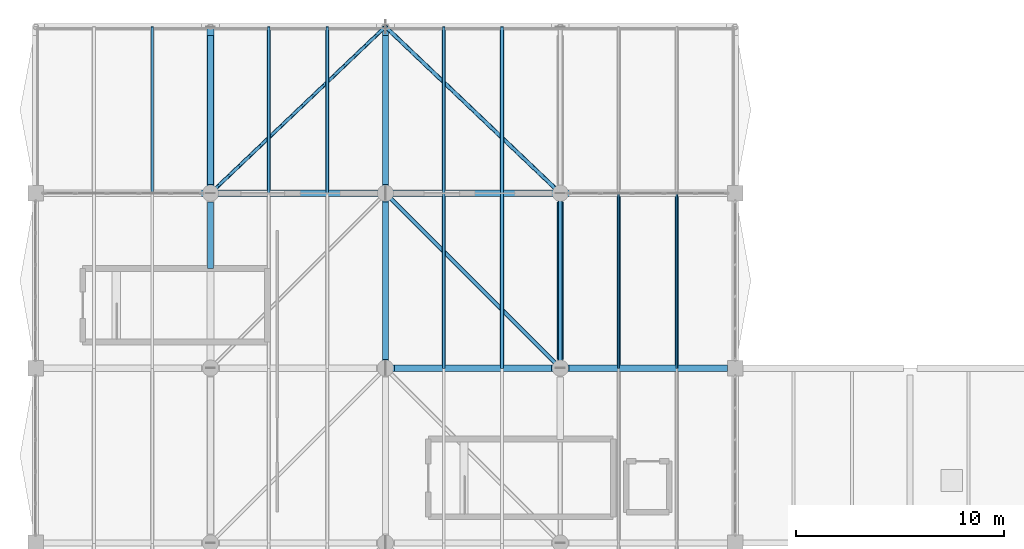
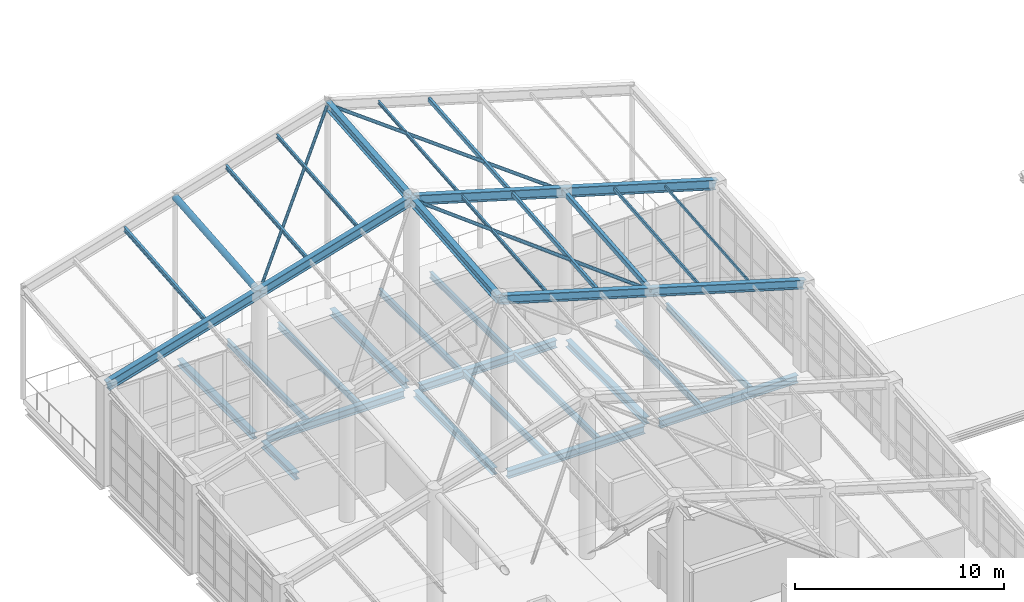
# One storey, part 46 of 95: 19 members, 17 beams.
"""IFC4 building model written with IfcOpenShell, lengths in metres."""

import ifcopenshell
import ifcopenshell.guid

model = None  # the IFC model being written
_history = None  # IfcOwnerHistory: only IFC2X3 demands one
_inside = {}  # id of a spatial element -> (the spatial element, [elements in it])
_under = {}  # id of a project, library or spatial element -> (it, [spatial elements below it])
_declared = {}  # id of a project -> (the project, [libraries it declares])
_typed = {}  # id of a type object -> (the type object, [elements of that type])
_made_of = {}  # id of a material, layer set ... -> (it, [elements and type objects made of it])


def new_model(schema):
    """Start an empty IFC model of exactly this schema.

    Asked for "IFC4X3", IfcOpenShell would pick the latest addendum, in which some entities
    have other attributes; the version numbers below select the first issue.
    IFC2X3 requires an IfcOwnerHistory on every rooted entity: one is made here for all.
    """
    global model, _history
    if schema == "IFC4X3":
        model = ifcopenshell.file(schema_version=(4, 3, 0, 0))
    else:
        model = ifcopenshell.file(schema=schema)
    _inside.clear()
    _under.clear()
    _declared.clear()
    _typed.clear()
    _made_of.clear()
    _history = None
    if model.schema == "IFC2X3":
        org = make("IfcOrganization", Name="unknown")
        user = make(
            "IfcPersonAndOrganization",
            ThePerson=make("IfcPerson", FamilyName="unknown"),
            TheOrganization=org,
        )
        app = make(
            "IfcApplication",
            ApplicationDeveloper=org,
            Version="unknown",
            ApplicationFullName="unknown",
            ApplicationIdentifier="unknown",
        )
        _history = make(
            "IfcOwnerHistory",
            OwningUser=user,
            OwningApplication=app,
            ChangeAction="ADDED",
            CreationDate=0,
        )
    return model


def make(cls, **values):
    """One entity of the class cls with the attributes given. An attribute that is None is left unset."""
    return model.create_entity(
        cls, **{name: value for name, value in values.items() if value is not None}
    )


def rooted(cls, **values):
    """An entity with a GlobalId (a new one), such as an element, a storey or a relation."""
    return make(cls, GlobalId=ifcopenshell.guid.new(), OwnerHistory=_history, **values)


def si_unit(unit_type, name, prefix=None):
    """IfcSIUnit, for example si_unit("LENGTHUNIT", "METRE", prefix="MILLI")."""
    return make("IfcSIUnit", UnitType=unit_type, Prefix=prefix, Name=name)


def assignment(units):
    """IfcUnitAssignment: the units of a project."""
    return None if units is None else make("IfcUnitAssignment", Units=units)


def point(xyz):
    """IfcCartesianPoint."""
    return None if xyz is None else make("IfcCartesianPoint", Coordinates=xyz)


def direction(xyz):
    """IfcDirection."""
    return None if xyz is None else make("IfcDirection", DirectionRatios=xyz)


def frame(location, z_axis=None, x_axis=None):
    """IfcAxis2Placement3D, a coordinate frame: its origin and axes. An axis left out is left unset."""
    return make(
        "IfcAxis2Placement3D",
        Location=point(location),
        Axis=direction(z_axis),
        RefDirection=direction(x_axis),
    )


def frame_2d(location, x_axis=None):
    """IfcAxis2Placement2D, a coordinate frame in the plane: its origin and x axis."""
    return make(
        "IfcAxis2Placement2D", Location=point(location), RefDirection=direction(x_axis)
    )


def origin():
    """The frame at (0, 0, 0) with its axes left unset."""
    return frame((0.0, 0.0, 0.0))


def origin_2d():
    """The frame at (0, 0) in the plane with its x axis left unset."""
    return frame_2d((0.0, 0.0))


def place(relative_to, where):
    """IfcLocalPlacement: puts the frame where relative to a parent placement (None: the world)."""
    return make(
        "IfcLocalPlacement", PlacementRelTo=relative_to, RelativePlacement=where
    )


def context(
    kind, dimensions, precision=None, world=None, true_north=None, identifier=None
):
    """IfcGeometricRepresentationContext, for example the 3D "Model" context."""
    return make(
        "IfcGeometricRepresentationContext",
        ContextIdentifier=identifier,
        ContextType=kind,
        CoordinateSpaceDimension=dimensions,
        Precision=precision,
        WorldCoordinateSystem=world,
        TrueNorth=true_north,
    )


def subcontext(parent, identifier, kind, view, scale=None):
    """IfcGeometricRepresentationSubContext, for example "Body" below "Model"."""
    return make(
        "IfcGeometricRepresentationSubContext",
        ContextIdentifier=identifier,
        ContextType=kind,
        ParentContext=parent,
        TargetScale=scale,
        TargetView=view,
    )


def project(units=None, contexts=None):
    """IfcProject with its units and contexts."""
    return rooted(
        "IfcProject",
        Name="project",
        RepresentationContexts=contexts,
        UnitsInContext=assignment(units),
    )


def spatial(cls, under=None, at=None, **own):
    """A site, building, storey or space (cls), placed at a placement, below another one or the project."""
    s = rooted(cls, ObjectPlacement=at, **own)
    if under is not None:
        _under.setdefault(under.id(), (under, []))[1].append(s)
    return s


def profile(cls, at=None, kind="AREA", **sizes):
    """A parametric profile (cls). Its sizes go by their IFC names, for example OverallWidth=200.0."""
    return make(cls, ProfileType=kind, Position=at, **sizes)


def hollow_rectangle(**sizes):
    """IfcRectangleHollowProfileDef."""
    return profile("IfcRectangleHollowProfileDef", **sizes)


def hollow_circle(**sizes):
    """IfcCircleHollowProfileDef."""
    return profile("IfcCircleHollowProfileDef", **sizes)


def i_section(**sizes):
    """IfcIShapeProfileDef."""
    return profile("IfcIShapeProfileDef", **sizes)


def extrude(swept, where, along, depth):
    """IfcExtrudedAreaSolid: the profile swept, set in the frame where, extruded along a direction by depth."""
    return make(
        "IfcExtrudedAreaSolid",
        SweptArea=swept,
        Position=where,
        ExtrudedDirection=direction(along),
        Depth=depth,
    )


def shape(context_of_items, identifier, shape_type, items):
    """IfcShapeRepresentation: the items that make up one representation, for example the "Body"."""
    return make(
        "IfcShapeRepresentation",
        ContextOfItems=context_of_items,
        RepresentationIdentifier=identifier,
        RepresentationType=shape_type,
        Items=items,
    )


def material(Name=None, Category=None):
    """IfcMaterial."""
    return make("IfcMaterial", Name=Name, Category=Category)


def material_profile(
    of_material, cross_section, Name=None, Category=None, Priority=None
):
    """IfcMaterialProfile: a cross section and its material."""
    return make(
        "IfcMaterialProfile",
        Name=Name,
        Material=of_material,
        Profile=cross_section,
        Priority=Priority,
        Category=Category,
    )


def profile_set(profiles, Name=None, composite=None):
    """IfcMaterialProfileSet."""
    return make(
        "IfcMaterialProfileSet",
        Name=Name,
        MaterialProfiles=profiles,
        CompositeProfile=composite,
    )


def made_of(thing, what):
    """Note that an element or type object is made of a material, layer set ...; save() writes the relation."""
    if what is not None:
        _made_of.setdefault(what.id(), (what, []))[1].append(thing)
    return thing


def type_object(cls, material=None, **own):
    """A type object (cls), such as IfcWallType, which elements share."""
    return made_of(rooted(cls, **own), material)


def element(
    cls,
    number,
    at=None,
    inside=None,
    cuts=None,
    type_object=None,
    material=None,
    context=None,
    identifier="Body",
    shape_type=None,
    held_by="IfcProductDefinitionShape",
    body=None,
    shapes=None,
    **own,
):
    """One element of the class cls, such as IfcWall. Its Tag is "e" and its number.

    at: its placement. inside: the storey or other place that contains it. cuts: it is an
    opening in that element (IfcRelVoidsElement). A single representation is given by context,
    identifier, shape_type and body (its items); several are given by shapes. held_by: the class
    of the entity that holds the representations. save() writes the other relations.
    """
    e = rooted(cls, Tag="e%d" % number, ObjectPlacement=at, **own)
    if body is not None:
        shapes = [shape(context, identifier, shape_type, body)]
    if shapes is not None:
        e.Representation = make(held_by, Representations=shapes)
    if inside is not None:
        _inside.setdefault(inside.id(), (inside, []))[1].append(e)
    if cuts is not None:
        rooted(
            "IfcRelVoidsElement", RelatingBuildingElement=cuts, RelatedOpeningElement=e
        )
    if type_object is not None:
        _typed.setdefault(type_object.id(), (type_object, []))[1].append(e)
    return made_of(e, material)


def aggregate(whole, parts):
    """IfcRelAggregates: a whole, such as a stair, and the parts it consists of."""
    return rooted("IfcRelAggregates", RelatingObject=whole, RelatedObjects=parts)


def save(model, path):
    """Write the relations noted so far, then the file.

    IfcRelAggregates (storeys below a building ...), IfcRelContainedInSpatialStructure (elements
    in a storey), IfcRelDefinesByType, IfcRelAssociatesMaterial and IfcRelDeclares: one each for
    every whole, place, type object, material and project.
    """
    for whole, parts in _under.values():
        aggregate(whole, parts)
    for where, things in _inside.values():
        rooted(
            "IfcRelContainedInSpatialStructure",
            RelatedElements=things,
            RelatingStructure=where,
        )
    for kind, things in _typed.values():
        rooted("IfcRelDefinesByType", RelatedObjects=things, RelatingType=kind)
    for what, things in _made_of.values():
        rooted("IfcRelAssociatesMaterial", RelatedObjects=things, RelatingMaterial=what)
    for by, libraries in _declared.values():
        rooted("IfcRelDeclares", RelatingContext=by, RelatedDefinitions=libraries)
    model.write(path)


model = new_model("IFC4")

# Units and contexts
model_context = context("Model", 3, precision=1e-05, world=origin(), true_north=direction((0.0, 1.0)))
body_context = subcontext(model_context, "Body", "Model", "MODEL_VIEW")
ifc_project = project(units=[si_unit("LENGTHUNIT", "METRE"), si_unit("AREAUNIT", "SQUARE_METRE"), si_unit("VOLUMEUNIT", "CUBIC_METRE"), si_unit("PLANEANGLEUNIT", "RADIAN"), si_unit("MASSUNIT", "GRAM", prefix="KILO"), si_unit("THERMODYNAMICTEMPERATUREUNIT", "KELVIN"), si_unit("POWERUNIT", "WATT")], contexts=[model_context])

# Site, building, storey
site_placement = place(None, origin())
site = spatial("IfcSite", under=ifc_project, at=site_placement, CompositionType="ELEMENT")
building_placement = place(site_placement, origin())
building = spatial("IfcBuilding", under=site, at=building_placement, Name="Mavoryth Pier Ferry Terminal", CompositionType="ELEMENT")
storey_placement = place(building_placement, frame((0.0, 0.0, 9.60009765625)))
storey = spatial("IfcBuildingStorey", under=building, at=storey_placement, Name="L02", CompositionType="ELEMENT", Elevation=9.60009765625)

# Beams
ifc_material = material(Name="Steel S355J2", Category="steel")
ifc_material_profile_1 = material_profile(ifc_material, i_section(OverallWidth=0.300048828125, OverallDepth=0.389892578125, WebThickness=0.010986328125, FlangeThickness=0.01904296875, FilletRadius=0.027099609375, at=origin_2d()), Name="HEA 400", Category="steel")
ifc_profile_set_1 = profile_set([ifc_material_profile_1], Name="Steel S355J2 - HEA 400")
beam_type_1 = type_object("IfcBeamType", Name="Beam-Steel-HEA400", PredefinedType="BEAM", material=ifc_profile_set_1)
beam_1_placement = place(storey_placement, frame((8.39990234375, 102.3798828125, -0.47509765625), z_axis=(0.0, 1.0, 0.0), x_axis=(-1.0, 0.0, 0.0)))
element("IfcBeam", 1, at=beam_1_placement, inside=storey, type_object=beam_type_1, Name="Beam B02-SB04-0636", PredefinedType="BEAM", context=body_context, shape_type="SweptSolid", body=[
    extrude(i_section(OverallWidth=0.300048828125, OverallDepth=0.389892578125, WebThickness=0.010986328125, FlangeThickness=0.01904296875, FilletRadius=0.027099609375, at=origin_2d()), origin(), (0.0, 0.0, 1.0), 3.195068359375),
])
beam_2_placement = place(storey_placement, frame((8.39990234375, 106.425048828125, -0.55517578125), z_axis=(0.0, 1.0, 0.0), x_axis=(-1.0, 0.0, 0.0)))
element("IfcBeam", 2, at=beam_2_placement, inside=storey, type_object=beam_type_1, Name="Beam B02-SB04-0637", PredefinedType="BEAM", context=body_context, shape_type="SweptSolid", body=[
    extrude(i_section(OverallWidth=0.300048828125, OverallDepth=0.389892578125, WebThickness=0.010986328125, FlangeThickness=0.01904296875, FilletRadius=0.027099609375, at=origin_2d()), origin(), (0.0, 0.0, 1.0), 7.14990234375),
])
beam_3_placement = place(storey_placement, frame((16.800048828125, 98.02490234375, -0.47509765625), z_axis=(0.0, 1.0, 0.0), x_axis=(-1.0, 0.0, 0.0)))
element("IfcBeam", 3, at=beam_3_placement, inside=storey, type_object=beam_type_1, Name="Beam B02-SB04-0641", PredefinedType="BEAM", context=body_context, shape_type="SweptSolid", body=[
    extrude(i_section(OverallWidth=0.300048828125, OverallDepth=0.389892578125, WebThickness=0.010986328125, FlangeThickness=0.01904296875, FilletRadius=0.027099609375, at=origin_2d()), origin(), (0.0, 0.0, 1.0), 7.550048828125),
])
beam_4_placement = place(storey_placement, frame((16.800048828125, 106.425048828125, -0.55517578125), z_axis=(0.0, 1.0, 0.0), x_axis=(-1.0, 0.0, 0.0)))
element("IfcBeam", 4, at=beam_4_placement, inside=storey, type_object=beam_type_1, Name="Beam B02-SB04-0642", PredefinedType="BEAM", context=body_context, shape_type="SweptSolid", body=[
    extrude(i_section(OverallWidth=0.300048828125, OverallDepth=0.389892578125, WebThickness=0.010986328125, FlangeThickness=0.01904296875, FilletRadius=0.027099609375, at=origin_2d()), origin(), (0.0, 0.0, 1.0), 7.14990234375),
])
beam_5_placement = place(storey_placement, frame((25.199951171875, 98.02490234375, -0.47509765625), z_axis=(0.0, 1.0, 0.0), x_axis=(-1.0, 0.0, 0.0)))
element("IfcBeam", 5, at=beam_5_placement, inside=storey, type_object=beam_type_1, Name="Beam B02-SB04-0646", PredefinedType="BEAM", context=body_context, shape_type="SweptSolid", body=[
    extrude(i_section(OverallWidth=0.300048828125, OverallDepth=0.389892578125, WebThickness=0.010986328125, FlangeThickness=0.01904296875, FilletRadius=0.027099609375, at=origin_2d()), origin(), (0.0, 0.0, 1.0), 7.550048828125),
])
ifc_material_profile_2 = material_profile(ifc_material, i_section(OverallWidth=0.300048828125, OverallDepth=0.449951171875, WebThickness=0.013916015625, FlangeThickness=0.02587890625, FilletRadius=0.027099609375, at=origin_2d()), Name="HEB 450", Category="steel")
ifc_profile_set_2 = profile_set([ifc_material_profile_2], Name="Steel S355J2 - HEB 450")
beam_type_2 = type_object("IfcBeamType", Name="Beam-Steel-HEB450", PredefinedType="BEAM", material=ifc_profile_set_2)
beam_6_placement = place(storey_placement, frame((17.22509765625, 97.60009765625, -0.505126953125), z_axis=(1.0, 0.0, 0.0), x_axis=(0.0, 1.0, 0.0)))
element("IfcBeam", 6, at=beam_6_placement, inside=storey, type_object=beam_type_2, Name="Beam B02-SB02-0618", PredefinedType="BEAM", context=body_context, shape_type="SweptSolid", body=[
    extrude(i_section(OverallWidth=0.300048828125, OverallDepth=0.449951171875, WebThickness=0.013916015625, FlangeThickness=0.02587890625, FilletRadius=0.027099609375, at=origin_2d()), origin(), (0.0, 0.0, 1.0), 7.5498046875),
])
beam_7_placement = place(storey_placement, frame((25.625, 97.60009765625, -0.505126953125), z_axis=(1.0, 0.0, 0.0), x_axis=(0.0, 1.0, 0.0)))
element("IfcBeam", 7, at=beam_7_placement, inside=storey, type_object=beam_type_2, Name="Beam B02-SB02-0619", PredefinedType="BEAM", context=body_context, shape_type="SweptSolid", body=[
    extrude(i_section(OverallWidth=0.300048828125, OverallDepth=0.449951171875, WebThickness=0.013916015625, FlangeThickness=0.02587890625, FilletRadius=0.027099609375, at=origin_2d()), origin(), (0.0, 0.0, 1.0), 7.60009765625),
])
beam_8_placement = place(storey_placement, frame((8.824951171875, 106.0, -0.585205078125), z_axis=(1.0, 0.0, 0.0), x_axis=(0.0, 1.0, 0.0)))
element("IfcBeam", 8, at=beam_8_placement, inside=storey, type_object=beam_type_2, Name="Beam B02-SB02-0621", PredefinedType="BEAM", context=body_context, shape_type="SweptSolid", body=[
    extrude(i_section(OverallWidth=0.300048828125, OverallDepth=0.449951171875, WebThickness=0.013916015625, FlangeThickness=0.02587890625, FilletRadius=0.027099609375, at=origin_2d()), origin(), (0.0, 0.0, 1.0), 7.550048828125),
])
beam_9_placement = place(storey_placement, frame((17.22509765625, 106.0, -0.585205078125), z_axis=(1.0, 0.0, 0.0), x_axis=(0.0, 1.0, 0.0)))
element("IfcBeam", 9, at=beam_9_placement, inside=storey, type_object=beam_type_2, Name="Beam B02-SB02-0622", PredefinedType="BEAM", context=body_context, shape_type="SweptSolid", body=[
    extrude(i_section(OverallWidth=0.300048828125, OverallDepth=0.449951171875, WebThickness=0.013916015625, FlangeThickness=0.02587890625, FilletRadius=0.027099609375, at=origin_2d()), origin(), (0.0, 0.0, 1.0), 7.5498046875),
])

# Members
ifc_material_profile_3 = material_profile(ifc_material, hollow_circle(Radius=0.096923828125, WallThickness=0.010009765625, at=origin_2d()), Name="CHS 193.7x10.0", Category="steel")
ifc_profile_set_3 = profile_set([ifc_material_profile_3], Name="Steel S355J2 - CHS 193.7x10.0")
member_type_1 = type_object("IfcMemberType", Name="Brace-Plan-CHS194", PredefinedType="BRACE", material=ifc_profile_set_3)
member_1_placement = place(storey_placement, frame((25.199951171875, 97.60009765625, 7.37060546875), z_axis=(-0.682878207153, 0.682878207153, 0.259527856674), x_axis=(-0.707106781187, -0.707106781187, 0.0)))
element("IfcMember", 10, at=member_1_placement, inside=storey, type_object=member_type_1, Name="Steel Member MB-L02-0174", PredefinedType="BRACE", context=body_context, shape_type="SweptSolid", body=[
    extrude(hollow_circle(Radius=0.096923828125, WallThickness=0.010009765625, at=origin_2d()), origin(), (0.0, 0.0, 1.0), 12.30078125),
])
member_2_placement = place(storey_placement, frame((25.199951171875, 106.0, 8.084716796875), z_axis=(-0.698697200102, 0.66543364102, 0.262717132992), x_axis=(-0.689659376744, -0.724133926887, 0.0)))
element("IfcMember", 11, at=member_2_placement, inside=storey, type_object=member_type_1, Name="Steel Member MB-L02-0189", PredefinedType="BRACE", context=body_context, shape_type="SweptSolid", body=[
    extrude(hollow_circle(Radius=0.096923828125, WallThickness=0.010009765625, at=origin_2d()), origin(), (0.0, 0.0, 1.0), 12.022216796875),
])
ifc_material_profile_4 = material_profile(ifc_material, hollow_circle(Radius=0.084228515625, WallThickness=0.008056640625, at=origin_2d()), Name="CHS 168.3x8.0", Category="steel")
ifc_profile_set_4 = profile_set([ifc_material_profile_4], Name="Steel S355J2 - CHS 168.3x8.0")
member_type_2 = type_object("IfcMemberType", Name="Brace-Roof-CHS168", PredefinedType="BRACE", material=ifc_profile_set_4)
member_3_placement = place(storey_placement, frame((8.39990234375, 106.0, 8.084716796875), z_axis=(0.698707593671, 0.665424199419, 0.262713405392), x_axis=(-0.689648865971, 0.724143937118, 0.0)))
element("IfcMember", 12, at=member_3_placement, inside=storey, type_object=member_type_2, Name="Steel Member MB-L02-0188", PredefinedType="BRACE", context=body_context, shape_type="SweptSolid", body=[
    extrude(hollow_circle(Radius=0.084228515625, WallThickness=0.008056640625, at=origin_2d()), origin(), (0.0, 0.0, 1.0), 12.0224609375),
])
ifc_material_profile_5 = material_profile(ifc_material, hollow_rectangle(XDim=0.199951171875, YDim=0.300048828125, WallThickness=0.012451171875, InnerFilletRadius=0.012451171875, OuterFilletRadius=0.02490234375, at=origin_2d()), Name="RHS 300x200x12.5", Category="steel")
ifc_profile_set_5 = profile_set([ifc_material_profile_5], Name="Steel S355J2 - RHS 300x200x12.5")
member_type_3 = type_object("IfcMemberType", Name="Chord-Edge-RHS300", PredefinedType="CHORD", material=ifc_profile_set_5)
member_4_placement = place(storey_placement, frame((25.199951171875, 97.60009765625, 7.37060546875), z_axis=(0.0, 0.996405760474, 0.084708680154), x_axis=(-1.0, 0.0, 0.0)))
element("IfcMember", 13, at=member_4_placement, inside=storey, type_object=member_type_3, Name="Steel Member MB-L02-0164", PredefinedType="CHORD", context=body_context, shape_type="SweptSolid", body=[
    extrude(hollow_rectangle(XDim=0.199951171875, YDim=0.300048828125, WallThickness=0.012451171875, InnerFilletRadius=0.012451171875, OuterFilletRadius=0.02490234375, at=origin_2d()), origin(), (0.0, 0.0, 1.0), 8.43017578125),
])
ifc_material_profile_6 = material_profile(ifc_material, i_section(OverallWidth=0.300048828125, OverallDepth=0.489990234375, WebThickness=0.011962890625, FlangeThickness=0.02294921875, FilletRadius=0.027099609375, at=origin_2d()), Name="HEA 500", Category="steel")
ifc_profile_set_6 = profile_set([ifc_material_profile_6], Name="Steel S355J2 - HEA 500")
member_type_4 = type_object("IfcMemberType", Name="Chord-Ridge-HEA500", PredefinedType="CHORD", material=ifc_profile_set_6)
member_5_placement = place(storey_placement, frame((16.800048828125, 97.60009765625, 9.8486328125), z_axis=(0.0, 0.9964033157, 0.084737432475), x_axis=(-1.0, 0.0, 0.0)))
element("IfcMember", 14, at=member_5_placement, inside=storey, type_object=member_type_4, Name="Steel Member MB-L02-0161", PredefinedType="CHORD", context=body_context, shape_type="SweptSolid", body=[
    extrude(i_section(OverallWidth=0.300048828125, OverallDepth=0.489990234375, WebThickness=0.011962890625, FlangeThickness=0.02294921875, FilletRadius=0.027099609375, at=origin_2d()), origin(), (0.0, 0.0, 1.0), 8.43017578125),
])
member_6_placement = place(storey_placement, frame((16.800048828125, 106.0, 10.56298828125), z_axis=(0.0, 0.996405110266, 0.08471632804), x_axis=(-1.0, 0.0, 0.0)))
element("IfcMember", 15, at=member_6_placement, inside=storey, type_object=member_type_4, Name="Steel Member MB-L02-0176", PredefinedType="CHORD", context=body_context, shape_type="SweptSolid", body=[
    extrude(i_section(OverallWidth=0.300048828125, OverallDepth=0.489990234375, WebThickness=0.011962890625, FlangeThickness=0.02294921875, FilletRadius=0.027099609375, at=origin_2d()), origin(), (0.0, 0.0, 1.0), 8.02880859375),
])
ifc_material_profile_7 = material_profile(ifc_material, hollow_circle(Radius=0.177734375, WallThickness=0.01611328125, at=origin_2d()), Name="CHS 355.6x16.0", Category="steel")
ifc_profile_set_7 = profile_set([ifc_material_profile_7], Name="Steel S355J2 - CHS 355.6x16.0")
member_type_5 = type_object("IfcMemberType", Name="Chord-Valley-CHS356", PredefinedType="CHORD", material=ifc_profile_set_7)
member_7_placement = place(storey_placement, frame((8.39990234375, 106.0, 8.084716796875), z_axis=(0.0, 0.996402543032, 0.084746517561), x_axis=(-1.0, 0.0, 0.0)))
element("IfcMember", 16, at=member_7_placement, inside=storey, type_object=member_type_5, Name="Steel Member MB-L02-0178", PredefinedType="CHORD", context=body_context, shape_type="SweptSolid", body=[
    extrude(hollow_circle(Radius=0.177734375, WallThickness=0.01611328125, at=origin_2d()), origin(), (0.0, 0.0, 1.0), 8.02880859375),
])

# Beams
ifc_material_profile_8 = material_profile(ifc_material, i_section(OverallWidth=0.169921875, OverallDepth=0.360107421875, WebThickness=0.008056640625, FlangeThickness=0.0126953125, FilletRadius=0.01806640625, at=origin_2d()), Name="IPE 360", Category="steel")
ifc_profile_set_8 = profile_set([ifc_material_profile_8], Name="Steel S355J2 - IPE 360")
beam_type_3 = type_object("IfcBeamType", Name="Joist-Steel-IPE360", PredefinedType="JOIST", material=ifc_profile_set_8)
for number, where, z_axis, x_axis, name in (
    (17, (11.199951171875, 106.14990234375, -0.5400390625), (0.0, 1.0, 0.0), (-1.0, 0.0, 0.0), "Beam B02-SJ02-0669"),
    (18, (14.0, 106.14990234375, -0.5400390625), (0.0, 1.0, 0.0), (-1.0, 0.0, 0.0), "Beam B02-SJ02-0670"),
):
    element("IfcBeam", number, at=place(storey_placement, frame(where, z_axis=z_axis, x_axis=x_axis)), inside=storey, type_object=beam_type_3, Name=name, PredefinedType="JOIST", context=body_context, shape_type="SweptSolid", body=[
        extrude(i_section(OverallWidth=0.169921875, OverallDepth=0.360107421875, WebThickness=0.008056640625, FlangeThickness=0.0126953125, FilletRadius=0.01806640625, at=origin_2d()), origin(), (0.0, 0.0, 1.0), 7.7001953125),
    ])
for number, where, z_axis, x_axis, name in (
    (19, (19.60009765625, 97.75, -0.460205078125), (0.0, 1.0, 0.0), (-1.0, 0.0, 0.0), "Beam B02-SJ02-0673"),
    (20, (22.39990234375, 97.75, -0.460205078125), (0.0, 1.0, 0.0), (-1.0, 0.0, 0.0), "Beam B02-SJ02-0674"),
):
    element("IfcBeam", number, at=place(storey_placement, frame(where, z_axis=z_axis, x_axis=x_axis)), inside=storey, type_object=beam_type_3, Name=name, PredefinedType="JOIST", context=body_context, shape_type="SweptSolid", body=[
        extrude(i_section(OverallWidth=0.169921875, OverallDepth=0.360107421875, WebThickness=0.008056640625, FlangeThickness=0.0126953125, FilletRadius=0.01806640625, at=origin_2d()), origin(), (0.0, 0.0, 1.0), 8.10009765625),
    ])
for number, where, z_axis, x_axis, name in (
    (21, (19.60009765625, 106.14990234375, -0.5400390625), (0.0, 1.0, 0.0), (-1.0, 0.0, 0.0), "Beam B02-SJ02-0675"),
    (22, (22.39990234375, 106.14990234375, -0.5400390625), (0.0, 1.0, 0.0), (-1.0, 0.0, 0.0), "Beam B02-SJ02-0676"),
):
    element("IfcBeam", number, at=place(storey_placement, frame(where, z_axis=z_axis, x_axis=x_axis)), inside=storey, type_object=beam_type_3, Name=name, PredefinedType="JOIST", context=body_context, shape_type="SweptSolid", body=[
        extrude(i_section(OverallWidth=0.169921875, OverallDepth=0.360107421875, WebThickness=0.008056640625, FlangeThickness=0.0126953125, FilletRadius=0.01806640625, at=origin_2d()), origin(), (0.0, 0.0, 1.0), 7.7001953125),
    ])
for number, where, z_axis, x_axis, name in (
    (23, (28.0, 97.75, -0.460205078125), (0.0, 1.0, 0.0), (-1.0, 0.0, 0.0), "Beam B02-SJ02-0683"),
    (24, (30.800048828125, 97.75, -0.460205078125), (0.0, 1.0, 0.0), (-1.0, 0.0, 0.0), "Beam B02-SJ02-0684"),
):
    element("IfcBeam", number, at=place(storey_placement, frame(where, z_axis=z_axis, x_axis=x_axis)), inside=storey, type_object=beam_type_3, Name=name, PredefinedType="JOIST", context=body_context, shape_type="SweptSolid", body=[
        extrude(i_section(OverallWidth=0.169921875, OverallDepth=0.360107421875, WebThickness=0.008056640625, FlangeThickness=0.0126953125, FilletRadius=0.01806640625, at=origin_2d()), origin(), (0.0, 0.0, 1.0), 8.10009765625),
    ])

# Members
ifc_material_profile_9 = material_profile(ifc_material, i_section(OverallWidth=0.10009765625, OverallDepth=0.199951171875, WebThickness=0.005615234375, FlangeThickness=0.008544921875, FilletRadius=0.011962890625, at=origin_2d()), Name="IPE 200", Category="steel")
ifc_profile_set_9 = profile_set([ifc_material_profile_9], Name="Steel S355J2 - IPE 200")
member_type_6 = type_object("IfcMemberType", Name="Purlin-Roof-IPE200", PredefinedType="PURLIN", material=ifc_profile_set_9)
member_8_placement = place(storey_placement, frame((19.60009765625, 97.60009765625, 9.01611328125), z_axis=(0.0, 0.996405760474, 0.084708680154), x_axis=(-1.0, 0.0, 0.0)))
element("IfcMember", 25, at=member_8_placement, inside=storey, type_object=member_type_6, Name="Steel Member MB-L02-0169", PredefinedType="PURLIN", context=body_context, shape_type="SweptSolid", body=[
    extrude(i_section(OverallWidth=0.10009765625, OverallDepth=0.199951171875, WebThickness=0.005615234375, FlangeThickness=0.008544921875, FilletRadius=0.011962890625, at=origin_2d()), origin(), (0.0, 0.0, 1.0), 8.43017578125),
])
member_9_placement = place(storey_placement, frame((19.60009765625, 106.0, 9.730224609375), z_axis=(0.0, 0.996402543032, 0.084746517561), x_axis=(-1.0, 0.0, 0.0)))
element("IfcMember", 26, at=member_9_placement, inside=storey, type_object=member_type_6, Name="Steel Member MB-L02-0184", PredefinedType="PURLIN", context=body_context, shape_type="SweptSolid", body=[
    extrude(i_section(OverallWidth=0.10009765625, OverallDepth=0.199951171875, WebThickness=0.005615234375, FlangeThickness=0.008544921875, FilletRadius=0.011962890625, at=origin_2d()), origin(), (0.0, 0.0, 1.0), 8.02880859375),
])
ifc_material_profile_10 = material_profile(ifc_material, i_section(OverallWidth=0.110107421875, OverallDepth=0.219970703125, WebThickness=0.005859375, FlangeThickness=0.00927734375, FilletRadius=0.011962890625, at=origin_2d()), Name="IPE 220", Category="steel")
ifc_profile_set_10 = profile_set([ifc_material_profile_10], Name="Steel S355J2 - IPE 220")
member_type_7 = type_object("IfcMemberType", Name="Purlin-Roof-IPE220", PredefinedType="PURLIN", material=ifc_profile_set_10)
member_10_placement = place(storey_placement, frame((14.0, 106.0, 9.730224609375), z_axis=(0.0, 0.996402543032, 0.084746517561), x_axis=(-1.0, 0.0, 0.0)))
element("IfcMember", 27, at=member_10_placement, inside=storey, type_object=member_type_7, Name="Steel Member MB-L02-0183", PredefinedType="PURLIN", context=body_context, shape_type="SweptSolid", body=[
    extrude(i_section(OverallWidth=0.110107421875, OverallDepth=0.219970703125, WebThickness=0.005859375, FlangeThickness=0.00927734375, FilletRadius=0.011962890625, at=origin_2d()), origin(), (0.0, 0.0, 1.0), 8.02880859375),
])
ifc_material_profile_11 = material_profile(ifc_material, i_section(OverallWidth=0.1201171875, OverallDepth=0.239990234375, WebThickness=0.006103515625, FlangeThickness=0.009765625, FilletRadius=0.014892578125, at=origin_2d()), Name="IPE 240", Category="steel")
ifc_profile_set_11 = profile_set([ifc_material_profile_11], Name="Steel S355J2 - IPE 240")
member_type_8 = type_object("IfcMemberType", Name="Purlin-Roof-IPE240", PredefinedType="PURLIN", material=ifc_profile_set_11)
member_11_placement = place(storey_placement, frame((11.199951171875, 106.0, 8.897705078125), z_axis=(0.0, 0.996405110266, 0.08471632804), x_axis=(-1.0, 0.0, 0.0)))
element("IfcMember", 28, at=member_11_placement, inside=storey, type_object=member_type_8, Name="Steel Member MB-L02-0182", PredefinedType="PURLIN", context=body_context, shape_type="SweptSolid", body=[
    extrude(i_section(OverallWidth=0.1201171875, OverallDepth=0.239990234375, WebThickness=0.006103515625, FlangeThickness=0.009765625, FilletRadius=0.014892578125, at=origin_2d()), origin(), (0.0, 0.0, 1.0), 8.02880859375),
])
ifc_material_profile_12 = material_profile(ifc_material, i_section(OverallWidth=0.135009765625, OverallDepth=0.27001953125, WebThickness=0.006591796875, FlangeThickness=0.01025390625, FilletRadius=0.014892578125, at=origin_2d()), Name="IPE 270", Category="steel")
ifc_profile_set_12 = profile_set([ifc_material_profile_12], Name="Steel S355J2 - IPE 270")
member_type_9 = type_object("IfcMemberType", Name="Purlin-Roof-IPE270", PredefinedType="PURLIN", material=ifc_profile_set_12)
member_12_placement = place(storey_placement, frame((5.60009765625, 106.0, 7.23193359375), z_axis=(0.0, 0.996402543032, 0.084746517561), x_axis=(-1.0, 0.0, 0.0)))
element("IfcMember", 29, at=member_12_placement, inside=storey, type_object=member_type_9, Name="Steel Member MB-L02-0181", PredefinedType="PURLIN", context=body_context, shape_type="SweptSolid", body=[
    extrude(i_section(OverallWidth=0.135009765625, OverallDepth=0.27001953125, WebThickness=0.006591796875, FlangeThickness=0.01025390625, FilletRadius=0.014892578125, at=origin_2d()), origin(), (0.0, 0.0, 1.0), 8.02880859375),
])
ifc_material_profile_13 = material_profile(ifc_material, hollow_rectangle(XDim=0.080078125, YDim=0.159912109375, WallThickness=0.00634765625, InnerFilletRadius=0.00634765625, OuterFilletRadius=0.0126953125, at=origin_2d()), Name="RHS 160x80x6.3", Category="steel")
ifc_profile_set_13 = profile_set([ifc_material_profile_13], Name="Steel S355J2 - RHS 160x80x6.3")
member_type_10 = type_object("IfcMemberType", Name="Purlin-Tube-RHS160", PredefinedType="PURLIN", material=ifc_profile_set_13)
member_13_placement = place(storey_placement, frame((30.800048828125, 97.60009765625, 5.684814453125), z_axis=(0.0, 0.996400870108, 0.084766184584), x_axis=(-1.0, 0.0, 0.0)))
element("IfcMember", 30, at=member_13_placement, inside=storey, type_object=member_type_10, Name="Steel Member MB-L02-0172", PredefinedType="PURLIN", context=body_context, shape_type="SweptSolid", body=[
    extrude(hollow_rectangle(XDim=0.080078125, YDim=0.159912109375, WallThickness=0.00634765625, InnerFilletRadius=0.00634765625, OuterFilletRadius=0.0126953125, at=origin_2d()), origin(), (0.0, 0.0, 1.0), 8.43017578125),
])
ifc_material_profile_14 = material_profile(ifc_material, hollow_rectangle(XDim=0.10009765625, YDim=0.199951171875, WallThickness=0.008056640625, InnerFilletRadius=0.008056640625, OuterFilletRadius=0.01611328125, at=origin_2d()), Name="RHS 200x100x8.0", Category="steel")
ifc_profile_set_14 = profile_set([ifc_material_profile_14], Name="Steel S355J2 - RHS 200x100x8.0")
member_type_11 = type_object("IfcMemberType", Name="Purlin-Tube-RHS200", PredefinedType="PURLIN", material=ifc_profile_set_14)
member_14_placement = place(storey_placement, frame((28.0, 97.60009765625, 6.517822265625), z_axis=(0.0, 0.996405760474, 0.084708680154), x_axis=(-1.0, 0.0, 0.0)))
element("IfcMember", 31, at=member_14_placement, inside=storey, type_object=member_type_11, Name="Steel Member MB-L02-0171", PredefinedType="PURLIN", context=body_context, shape_type="SweptSolid", body=[
    extrude(hollow_rectangle(XDim=0.10009765625, YDim=0.199951171875, WallThickness=0.008056640625, InnerFilletRadius=0.008056640625, OuterFilletRadius=0.01611328125, at=origin_2d()), origin(), (0.0, 0.0, 1.0), 8.43017578125),
])
ifc_material_profile_15 = material_profile(ifc_material, hollow_rectangle(XDim=0.14990234375, YDim=0.25, WallThickness=0.010009765625, InnerFilletRadius=0.010009765625, OuterFilletRadius=0.02001953125, at=origin_2d()), Name="RHS 250x150x10.0", Category="steel")
ifc_profile_set_15 = profile_set([ifc_material_profile_15], Name="Steel S355J2 - RHS 250x150x10.0")
member_type_12 = type_object("IfcMemberType", Name="Purlin-Tube-RHS250", PredefinedType="PURLIN", material=ifc_profile_set_15)
member_15_placement = place(storey_placement, frame((22.39990234375, 97.60009765625, 8.18310546875), z_axis=(0.0, 0.996400870108, 0.084766184584), x_axis=(-1.0, 0.0, 0.0)))
element("IfcMember", 32, at=member_15_placement, inside=storey, type_object=member_type_12, Name="Steel Member MB-L02-0170", PredefinedType="PURLIN", context=body_context, shape_type="SweptSolid", body=[
    extrude(hollow_rectangle(XDim=0.14990234375, YDim=0.25, WallThickness=0.010009765625, InnerFilletRadius=0.010009765625, OuterFilletRadius=0.02001953125, at=origin_2d()), origin(), (0.0, 0.0, 1.0), 8.43017578125),
])
member_16_placement = place(storey_placement, frame((22.39990234375, 106.0, 8.897705078125), z_axis=(0.0, 0.996405110266, 0.08471632804), x_axis=(-1.0, 0.0, 0.0)))
element("IfcMember", 33, at=member_16_placement, inside=storey, type_object=member_type_12, Name="Steel Member MB-L02-0185", PredefinedType="PURLIN", context=body_context, shape_type="SweptSolid", body=[
    extrude(hollow_rectangle(XDim=0.14990234375, YDim=0.25, WallThickness=0.010009765625, InnerFilletRadius=0.010009765625, OuterFilletRadius=0.02001953125, at=origin_2d()), origin(), (0.0, 0.0, 1.0), 8.02880859375),
])
ifc_material_profile_16 = material_profile(ifc_material, i_section(OverallWidth=0.300048828125, OverallDepth=0.5, WebThickness=0.014404296875, FlangeThickness=0.028076171875, FilletRadius=0.027099609375, at=origin_2d()), Name="HEB 500", Category="steel")
ifc_profile_set_16 = profile_set([ifc_material_profile_16], Name="Steel S355J2 - HEB 500")
member_type_13 = type_object("IfcMemberType", Name="Rafter-Folded-HEB500", PredefinedType="RAFTER", material=ifc_profile_set_16)
member_17_placement = place(storey_placement, frame((16.800048828125, 97.60009765625, 9.8486328125), z_axis=(0.958821022036, 0.0, -0.284010999261), x_axis=(0.0, 1.0, 0.0)))
element("IfcMember", 34, at=member_17_placement, inside=storey, type_object=member_type_13, Name="Steel Member MB-L02-0020", PredefinedType="RAFTER", context=body_context, shape_type="SweptSolid", body=[
    extrude(i_section(OverallWidth=0.300048828125, OverallDepth=0.5, WebThickness=0.014404296875, FlangeThickness=0.028076171875, FilletRadius=0.027099609375, at=origin_2d()), origin(), (0.0, 0.0, 1.0), 17.521484375),
])
ifc_material_profile_17 = material_profile(ifc_material, i_section(OverallWidth=0.300048828125, OverallDepth=0.550048828125, WebThickness=0.014892578125, FlangeThickness=0.029052734375, FilletRadius=0.027099609375, at=origin_2d()), Name="HEB 550", Category="steel")
ifc_profile_set_17 = profile_set([ifc_material_profile_17], Name="Steel S355J2 - HEB 550")
member_type_14 = type_object("IfcMemberType", Name="Rafter-Folded-HEB550", PredefinedType="RAFTER", material=ifc_profile_set_17)
for number, where, z_axis, x_axis, name in (
    (35, (0.0, 106.0, 5.58642578125), (0.958817227595, 0.0, 0.284023808979), (0.0, 1.0, 0.0), "Steel Member MB-L02-0021"),
    (36, (16.800048828125, 106.0, 10.56298828125), (0.958817227595, 0.0, -0.284023808979), (0.0, 1.0, 0.0), "Steel Member MB-L02-0022"),
):
    element("IfcMember", number, at=place(storey_placement, frame(where, z_axis=z_axis, x_axis=x_axis)), inside=storey, type_object=member_type_14, Name=name, PredefinedType="RAFTER", context=body_context, shape_type="SweptSolid", body=[
        extrude(i_section(OverallWidth=0.300048828125, OverallDepth=0.550048828125, WebThickness=0.014892578125, FlangeThickness=0.029052734375, FilletRadius=0.027099609375, at=origin_2d()), origin(), (0.0, 0.0, 1.0), 17.521728515625),
    ])

save(model, "model.ifc")
